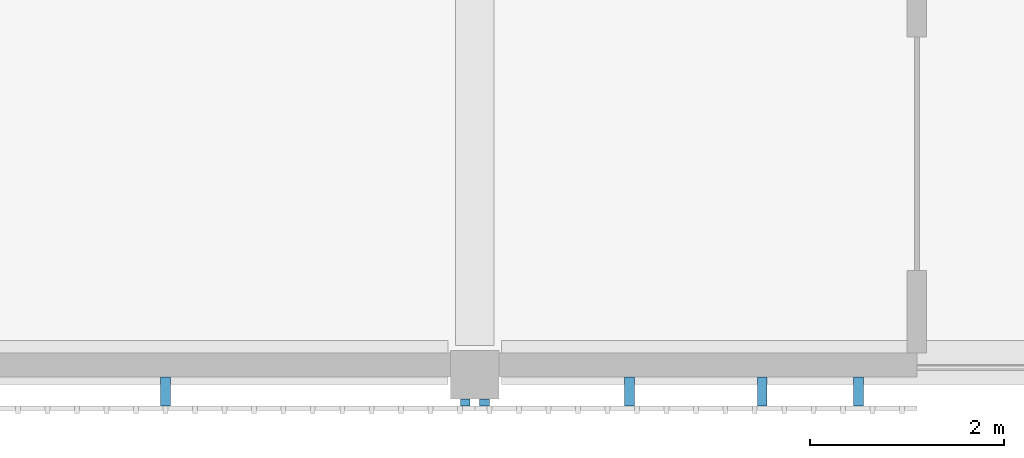
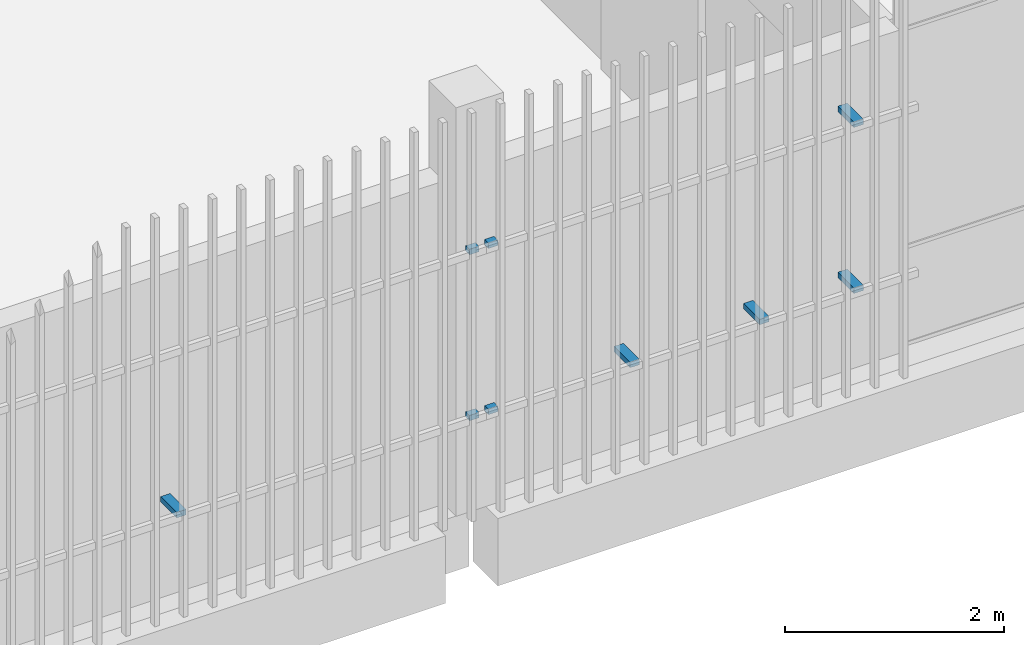
# One storey, part 63 of 91: 9 discrete accessories.
"""IFC4 building model written with IfcOpenShell, lengths in metres."""

from ifc_helpers import new_model, si_unit, direction, frame, origin, origin_2d, place, context, subcontext, project, spatial, rectangle, extrude, material, type_object, element, save


model = new_model("IFC4")

# Units and contexts
model_context = context("Model", 3, precision=1e-05, world=origin(), true_north=direction((0.0, 1.0)))
body_context = subcontext(model_context, "Body", "Model", "MODEL_VIEW")
ifc_project = project(units=[si_unit("LENGTHUNIT", "METRE"), si_unit("AREAUNIT", "SQUARE_METRE"), si_unit("VOLUMEUNIT", "CUBIC_METRE"), si_unit("PLANEANGLEUNIT", "RADIAN"), si_unit("MASSUNIT", "GRAM", prefix="KILO")], contexts=[model_context])

# Site, building, storey
site_placement = place(None, origin())
site = spatial("IfcSite", under=ifc_project, at=site_placement, CompositionType="ELEMENT")
building_placement = place(site_placement, origin())
building = spatial("IfcBuilding", under=site, at=building_placement, Name="Shirokan Park Arena", CompositionType="ELEMENT")
storey_placement = place(building_placement, frame((0.0, 0.0, 24.570068359375)))
storey = spatial("IfcBuildingStorey", under=building, at=storey_placement, Name="L05", CompositionType="ELEMENT", Elevation=24.570068359375)

# Discrete accessories
ifc_material = material(Name="Steel S355", Category="steel")
discrete_accessory_type = type_object("IfcDiscreteAccessoryType", Name="Veil bracket 100x60", PredefinedType="BRACKET", material=ifc_material)
for number, where, z_axis, x_axis, name in (
    (1, (36.300048828125, -0.409912109375, 1.06982421875), (0.0, 0.0, 1.0), (1.0, 0.0, 0.0), "Veil bracket south bay 4 L05 2"),
    (2, (36.300048828125, -0.409912109375, 2.919921875), (0.0, 0.0, 1.0), (1.0, 0.0, 0.0), "Veil bracket south bay 4 L05 4"),
):
    element("IfcDiscreteAccessory", number, at=place(storey_placement, frame(where, z_axis=z_axis, x_axis=x_axis)), inside=storey, type_object=discrete_accessory_type, Name=name, PredefinedType="BRACKET", context=body_context, shape_type="SweptSolid", body=[
        extrude(rectangle(XDim=0.10009765625, YDim=0.070068359375, at=origin_2d()), origin(), (0.0, 0.0, 1.0), 0.06005859375),
    ])
discrete_accessory_1_placement = place(storey_placement, frame((33.215087890625, -0.297607421875, 1.06982421875), z_axis=(0.0, 0.0, 1.0), x_axis=(1.0, 0.0, 0.0)))
element("IfcDiscreteAccessory", 3, at=discrete_accessory_1_placement, inside=storey, type_object=discrete_accessory_type, Name="Veil bracket south bay 4 L05 wall 2", PredefinedType="BRACKET", context=body_context, shape_type="SweptSolid", body=[
    extrude(rectangle(XDim=0.10009765625, YDim=0.294921875, at=origin_2d()), origin(), (0.0, 0.0, 1.0), 0.06005859375),
])
discrete_accessory_2_placement = place(storey_placement, frame((36.5, -0.409912109375, 1.06982421875), z_axis=(0.0, 0.0, 1.0), x_axis=(1.0, 0.0, 0.0)))
element("IfcDiscreteAccessory", 4, at=discrete_accessory_2_placement, inside=storey, type_object=discrete_accessory_type, Name="Veil bracket south bay 5 L05 1", PredefinedType="BRACKET", context=body_context, shape_type="SweptSolid", body=[
    extrude(rectangle(XDim=0.10009765625, YDim=0.070068359375, at=origin_2d()), origin(), (0.0, 0.0, 1.0), 0.06005859375),
])
discrete_accessory_3_placement = place(storey_placement, frame((40.35009765625, -0.297607421875, 1.06982421875), z_axis=(0.0, 0.0, 1.0), x_axis=(1.0, 0.0, 0.0)))
element("IfcDiscreteAccessory", 5, at=discrete_accessory_3_placement, inside=storey, type_object=discrete_accessory_type, Name="Veil bracket south bay 5 L05 2", PredefinedType="BRACKET", context=body_context, shape_type="SweptSolid", body=[
    extrude(rectangle(XDim=0.10009765625, YDim=0.294921875, at=origin_2d()), origin(), (0.0, 0.0, 1.0), 0.06005859375),
])
discrete_accessory_4_placement = place(storey_placement, frame((36.5, -0.409912109375, 2.919921875), z_axis=(0.0, 0.0, 1.0), x_axis=(1.0, 0.0, 0.0)))
element("IfcDiscreteAccessory", 6, at=discrete_accessory_4_placement, inside=storey, type_object=discrete_accessory_type, Name="Veil bracket south bay 5 L05 3", PredefinedType="BRACKET", context=body_context, shape_type="SweptSolid", body=[
    extrude(rectangle(XDim=0.10009765625, YDim=0.070068359375, at=origin_2d()), origin(), (0.0, 0.0, 1.0), 0.06005859375),
])
for number, where, z_axis, x_axis, name in (
    (7, (40.35009765625, -0.297607421875, 2.919921875), (0.0, 0.0, 1.0), (1.0, 0.0, 0.0), "Veil bracket south bay 5 L05 4"),
    (8, (37.992431640625, -0.297607421875, 1.06982421875), (0.0, 0.0, 1.0), (1.0, 0.0, 0.0), "Veil bracket south bay 5 L05 wall 1"),
    (9, (39.357421875, -0.297607421875, 1.06982421875), (0.0, 0.0, 1.0), (1.0, 0.0, 0.0), "Veil bracket south bay 5 L05 wall 2"),
):
    element("IfcDiscreteAccessory", number, at=place(storey_placement, frame(where, z_axis=z_axis, x_axis=x_axis)), inside=storey, type_object=discrete_accessory_type, Name=name, PredefinedType="BRACKET", context=body_context, shape_type="SweptSolid", body=[
        extrude(rectangle(XDim=0.10009765625, YDim=0.294921875, at=origin_2d()), origin(), (0.0, 0.0, 1.0), 0.06005859375),
    ])

save(model, "model.ifc")
